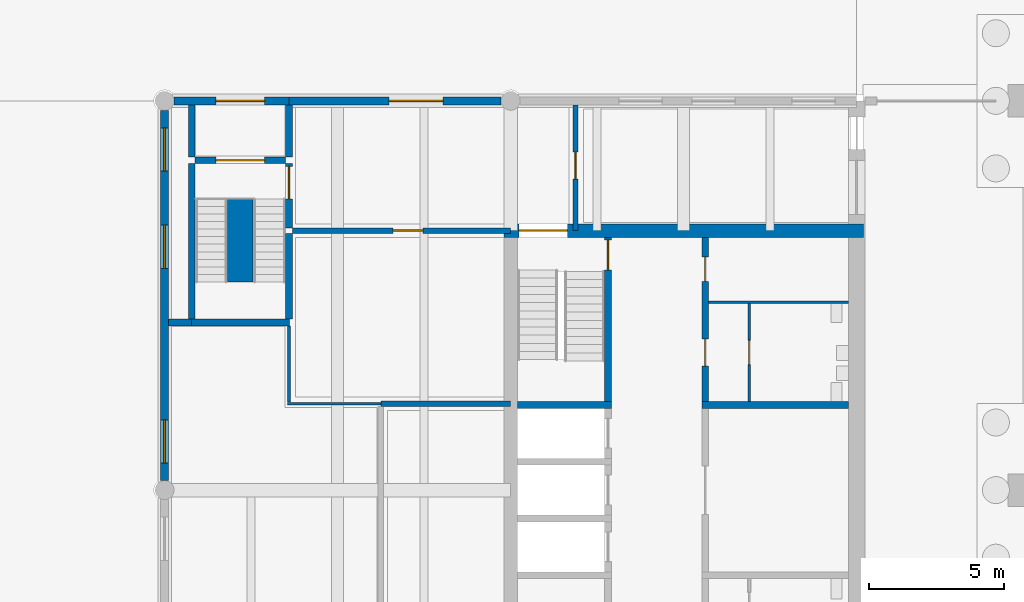
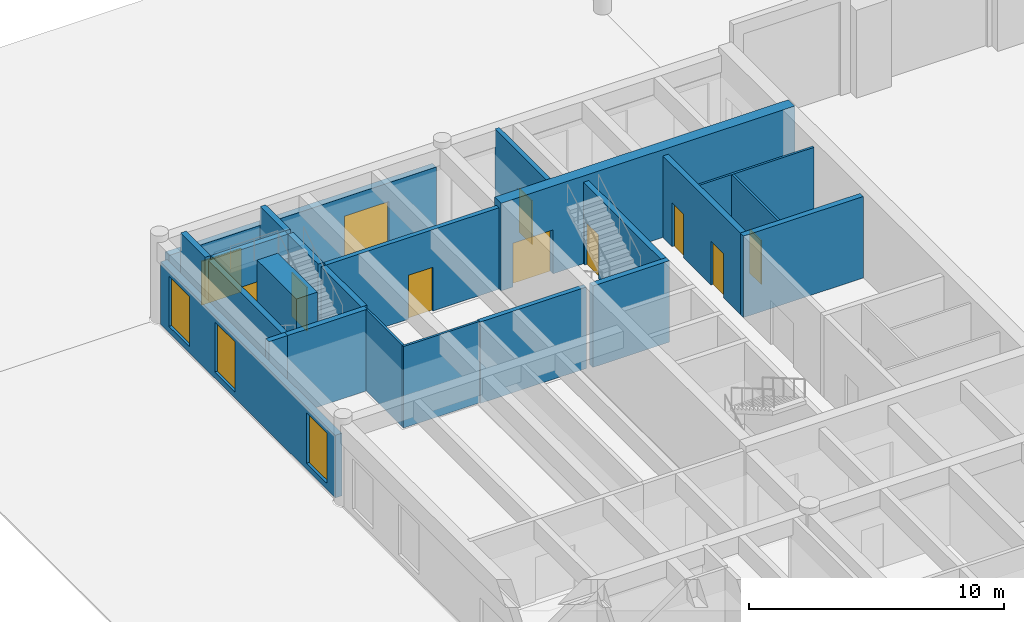
# One storey, part 19 of 28: 24 walls, 11 doors, 3 windows, 14 openings.
"""IFC4 building model written with IfcOpenShell, lengths in metres."""

from ifc_helpers import new_model, si_unit, direction, frame, frame_2d, origin, place, context, subcontext, project, spatial, rectangle, extrude, material, layer, layer_set, type_object, element, fill, save


model = new_model("IFC4")

# Units and contexts
model_context = context("Model", 3, precision=1e-05, world=origin(), true_north=direction((0.0, 1.0)))
body_context = subcontext(model_context, "Body", "Model", "MODEL_VIEW")
ifc_project = project(units=[si_unit("LENGTHUNIT", "METRE"), si_unit("AREAUNIT", "SQUARE_METRE"), si_unit("VOLUMEUNIT", "CUBIC_METRE"), si_unit("PLANEANGLEUNIT", "RADIAN"), si_unit("MASSUNIT", "GRAM", prefix="KILO")], contexts=[model_context])

# Site, building, storey
site_placement = place(None, origin())
site = spatial("IfcSite", under=ifc_project, at=site_placement, CompositionType="ELEMENT")
building_placement = place(site_placement, origin())
building = spatial("IfcBuilding", under=site, at=building_placement, Name="Fogon Plaza Fire Station and Headquarters Tower", CompositionType="ELEMENT")
storey_placement = place(building_placement, origin())
storey = spatial("IfcBuildingStorey", under=building, at=storey_placement, Name="L00", CompositionType="ELEMENT", Elevation=0.0)

# Wall, opening, door
ifc_material_1 = material(Name="Concrete C40", Category="concrete")
ifc_layer_1 = layer(ifc_material_1, 0.300048828125)
ifc_layer_set_1 = layer_set([ifc_layer_1], Name="Concrete C40")
wall_type_1 = type_object("IfcWallType", Name="Board-marked RC Infill Wall 300", PredefinedType="SOLIDWALL", material=ifc_layer_set_1)
wall_1_placement = place(storey_placement, frame((4.60009765625, 57.60009765625, 0.0), z_axis=(0.0, 0.0, 1.0), x_axis=(1.0, 0.0, 0.0)))
wall_1 = element("IfcWall", 1, at=wall_1_placement, inside=storey, type_object=wall_type_1, Name="Exterior wall WN L00", PredefinedType="SOLIDWALL", context=body_context, shape_type="SweptSolid", body=[
    extrude(rectangle(XDim=7.849853515625, YDim=0.300048828125, at=frame_2d((3.9248046875, 0.0))), origin(), (0.0, 0.0, 1.0), 3.0),
])
opening_1_placement = place(wall_1_placement, frame((3.699951171875, 0.0, 0.0)))
opening_1 = element("IfcOpeningElement", 2, at=opening_1_placement, cuts=wall_1, Name="Opening L00-D05", PredefinedType="OPENING", context=body_context, shape_type="SweptSolid", body=[
    extrude(rectangle(XDim=2.0, YDim=2.10009765625, at=frame_2d((1.0, 1.050048828125))), frame((0.0, 0.159912109375, 0.0), z_axis=(0.0, -1.0, 0.0), x_axis=(1.0, 0.0, 0.0)), (0.0, 0.0, 1.0), 0.320068359375),
])
ifc_material_2 = material(Name="Steel Door Leaf", Category="steel")
door_type_1 = type_object("IfcDoorType", Name="Exit Double 2000x2100", OperationType="SINGLE_SWING_LEFT", PredefinedType="DOOR", material=ifc_material_2)
door_1_placement = place(opening_1_placement, origin())
door_1 = element("IfcDoor", 3, at=door_1_placement, inside=storey, type_object=door_type_1, Name="Exterior door L00-D05", OperationType="SINGLE_SWING_RIGHT", OverallHeight=2.10009765625, OverallWidth=2.0, PredefinedType="DOOR", context=body_context, shape_type="SweptSolid", body=[
    extrude(rectangle(XDim=2.0, YDim=2.10009765625, at=frame_2d((1.0, 1.050048828125))), frame((0.0, 0.02490234375, 0.0), z_axis=(0.0, -1.0, 0.0), x_axis=(1.0, 0.0, 0.0)), (0.0, 0.0, 1.0), 0.050048828125),
])
fill(opening_1, door_1)

# Wall, openings, windows
wall_2_placement = place(storey_placement, frame((0.0, 43.550048828125, 0.0), z_axis=(0.0, 0.0, 1.0), x_axis=(0.0, 1.0, 0.0)))
wall_2 = element("IfcWall", 4, at=wall_2_placement, inside=storey, type_object=wall_type_1, Name="Exterior wall WW L00", PredefinedType="SOLIDWALL", context=body_context, shape_type="SweptSolid", body=[
    extrude(rectangle(XDim=13.699951171875, YDim=0.300048828125, at=frame_2d((6.85009765625, 0.0))), origin(), (0.0, 0.0, 1.0), 3.0),
])
opening_2_placement = place(wall_2_placement, frame((0.64990234375, 0.0, 0.300048828125)))
opening_2 = element("IfcOpeningElement", 5, at=opening_2_placement, cuts=wall_2, Name="Opening W2", PredefinedType="OPENING", context=body_context, shape_type="SweptSolid", body=[
    extrude(rectangle(XDim=1.60009765625, YDim=2.39990234375, at=frame_2d((0.800048828125, 1.199951171875))), frame((0.0, 0.159912109375, 0.0), z_axis=(0.0, -1.0, 0.0), x_axis=(1.0, 0.0, 0.0)), (0.0, 0.0, 1.0), 0.320068359375),
])
opening_3_placement = place(wall_2_placement, frame((7.85009765625, 0.0, 0.300048828125)))
opening_3 = element("IfcOpeningElement", 6, at=opening_3_placement, cuts=wall_2, Name="Opening W2", PredefinedType="OPENING", context=body_context, shape_type="SweptSolid", body=[
    extrude(rectangle(XDim=1.60009765625, YDim=2.39990234375, at=frame_2d((0.800048828125, 1.199951171875))), frame((0.0, 0.159912109375, 0.0), z_axis=(0.0, -1.0, 0.0), x_axis=(1.0, 0.0, 0.0)), (0.0, 0.0, 1.0), 0.320068359375),
])
opening_4_placement = place(wall_2_placement, frame((11.449951171875, 0.0, 0.300048828125)))
opening_4 = element("IfcOpeningElement", 7, at=opening_4_placement, cuts=wall_2, Name="Opening W2", PredefinedType="OPENING", context=body_context, shape_type="SweptSolid", body=[
    extrude(rectangle(XDim=1.60009765625, YDim=2.39990234375, at=frame_2d((0.800048828125, 1.199951171875))), frame((0.0, 0.159912109375, 0.0), z_axis=(0.0, -1.0, 0.0), x_axis=(1.0, 0.0, 0.0)), (0.0, 0.0, 1.0), 0.320068359375),
])
ifc_material_3 = material(Name="Aluminium framed double glazing", Category="aluminium")
window_type = type_object("IfcWindowType", Name="Window W2 1600x2400", PartitioningType="SINGLE_PANEL", PredefinedType="WINDOW", material=ifc_material_3)
window_1_placement = place(opening_2_placement, origin())
window_1 = element("IfcWindow", 8, at=window_1_placement, inside=storey, type_object=window_type, Name="Window W2 W L00", OverallHeight=2.39990234375, OverallWidth=1.60009765625, PartitioningType="SINGLE_PANEL", PredefinedType="WINDOW", context=body_context, shape_type="SweptSolid", body=[
    extrude(rectangle(XDim=1.60009765625, YDim=2.39990234375, at=frame_2d((0.800048828125, 1.199951171875))), frame((0.0, 0.030029296875, 0.0), z_axis=(0.0, -1.0, 0.0), x_axis=(1.0, 0.0, 0.0)), (0.0, 0.0, 1.0), 0.06005859375),
])
fill(opening_2, window_1)
window_2_placement = place(opening_3_placement, origin())
window_2 = element("IfcWindow", 9, at=window_2_placement, inside=storey, type_object=window_type, Name="Window W2 W L00", OverallHeight=2.39990234375, OverallWidth=1.60009765625, PartitioningType="SINGLE_PANEL", PredefinedType="WINDOW", context=body_context, shape_type="SweptSolid", body=[
    extrude(rectangle(XDim=1.60009765625, YDim=2.39990234375, at=frame_2d((0.800048828125, 1.199951171875))), frame((0.0, 0.030029296875, 0.0), z_axis=(0.0, -1.0, 0.0), x_axis=(1.0, 0.0, 0.0)), (0.0, 0.0, 1.0), 0.06005859375),
])
fill(opening_3, window_2)
window_3_placement = place(opening_4_placement, origin())
window_3 = element("IfcWindow", 10, at=window_3_placement, inside=storey, type_object=window_type, Name="Window W2 W L00", OverallHeight=2.39990234375, OverallWidth=1.60009765625, PartitioningType="SINGLE_PANEL", PredefinedType="WINDOW", context=body_context, shape_type="SweptSolid", body=[
    extrude(rectangle(XDim=1.60009765625, YDim=2.39990234375, at=frame_2d((0.800048828125, 1.199951171875))), frame((0.0, 0.030029296875, 0.0), z_axis=(0.0, -1.0, 0.0), x_axis=(1.0, 0.0, 0.0)), (0.0, 0.0, 1.0), 0.06005859375),
])
fill(opening_4, window_3)

# Wall, opening, door
ifc_material_4 = material(Name="Concrete C40", Category="concrete")
ifc_layer_2 = layer(ifc_material_4, 0.300048828125)
ifc_layer_set_2 = layer_set([ifc_layer_2], Name="Concrete C40")
wall_type_2 = type_object("IfcWallType", Name="Board-marked RC Infill Wall 300 EI 120", PredefinedType="SOLIDWALL", material=ifc_layer_set_2)
wall_3_placement = place(storey_placement, frame((0.35009765625, 57.60009765625, 0.0), z_axis=(0.0, 0.0, 1.0), x_axis=(1.0, 0.0, 0.0)))
wall_3 = element("IfcWall", 11, at=wall_3_placement, inside=storey, type_object=wall_type_2, Name="Exterior wall WN L00", PredefinedType="SOLIDWALL", context=body_context, shape_type="SweptSolid", body=[
    extrude(rectangle(XDim=4.25, YDim=0.300048828125, at=frame_2d((2.125, 0.0))), origin(), (0.0, 0.0, 1.0), 3.0),
])
opening_5_placement = place(wall_3_placement, frame((1.550048828125, 0.0, 0.0)))
opening_5 = element("IfcOpeningElement", 12, at=opening_5_placement, cuts=wall_3, Name="Opening L00-D04", PredefinedType="OPENING", context=body_context, shape_type="SweptSolid", body=[
    extrude(rectangle(XDim=1.800048828125, YDim=2.10009765625, at=frame_2d((0.89990234375, 1.050048828125))), frame((0.0, 0.159912109375, 0.0), z_axis=(0.0, -1.0, 0.0), x_axis=(1.0, 0.0, 0.0)), (0.0, 0.0, 1.0), 0.320068359375),
])
ifc_material_5 = material(Name="Steel Fire Door Leaf", Category="steel")
door_type_2 = type_object("IfcDoorType", Name="Stair Discharge Double 1800x2100", OperationType="SINGLE_SWING_LEFT", PredefinedType="DOOR", material=ifc_material_5)
door_2_placement = place(opening_5_placement, origin())
door_2 = element("IfcDoor", 13, at=door_2_placement, inside=storey, type_object=door_type_2, Name="Exterior door L00-D04", OperationType="SINGLE_SWING_LEFT", OverallHeight=2.10009765625, OverallWidth=1.800048828125, PredefinedType="DOOR", context=body_context, shape_type="SweptSolid", body=[
    extrude(rectangle(XDim=1.800048828125, YDim=2.10009765625, at=frame_2d((0.89990234375, 1.050048828125))), frame((0.0, 0.02490234375, 0.0), z_axis=(0.0, -1.0, 0.0), x_axis=(1.0, 0.0, 0.0)), (0.0, 0.0, 1.0), 0.050048828125),
])
fill(opening_5, door_2)

# Walls
ifc_material_6 = material(Name="Concrete Block Fire Wall", Category="concrete")
ifc_layer_3 = layer(ifc_material_6, 0.199951171875)
ifc_layer_set_3 = layer_set([ifc_layer_3], Name="Concrete Block Fire Wall")
wall_type_3 = type_object("IfcWallType", Name="Compartment Wall EI 120", PredefinedType="PARTITIONING", material=ifc_layer_set_3)
wall_4_placement = place(storey_placement, frame((8.0, 46.39990234375, 0.0), z_axis=(0.0, 0.0, 1.0), x_axis=(1.0, 0.0, 0.0)))
element("IfcWall", 14, at=wall_4_placement, inside=storey, type_object=wall_type_3, Name="wall-L00-W-024", PredefinedType="PARTITIONING", context=body_context, shape_type="SweptSolid", body=[
    extrude(rectangle(XDim=4.800048828125, YDim=0.199951171875, at=frame_2d((2.39990234375, 0.0))), origin(), (0.0, 0.0, 1.0), 3.89990234375),
])
ifc_material_7 = material(Name="Concrete C40", Category="concrete")
ifc_layer_4 = layer(ifc_material_7, 0.25)
ifc_layer_set_4 = layer_set([ifc_layer_4], Name="Concrete C40")
wall_type_4 = type_object("IfcWallType", Name="Core Wall RC 250", PredefinedType="SOLIDWALL", material=ifc_layer_set_4)
wall_5_placement = place(storey_placement, frame((13.050048828125, 46.35009765625, 0.0), z_axis=(0.0, 0.0, 1.0), x_axis=(1.0, 0.0, 0.0)))
element("IfcWall", 15, at=wall_5_placement, inside=storey, type_object=wall_type_4, Name="Core A shaft wall", PredefinedType="SOLIDWALL", context=body_context, shape_type="SweptSolid", body=[
    extrude(rectangle(XDim=3.474853515625, YDim=0.25, at=frame_2d((1.7373046875, 0.0))), origin(), (0.0, 0.0, 1.0), 3.89990234375),
])

# Wall, opening, door
wall_6_placement = place(storey_placement, frame((16.39990234375, 46.47509765625, 0.0), z_axis=(0.0, 0.0, 1.0), x_axis=(0.0, 1.0, 0.0)))
wall_6 = element("IfcWall", 16, at=wall_6_placement, inside=storey, type_object=wall_type_4, Name="Core A shaft wall", PredefinedType="SOLIDWALL", context=body_context, shape_type="SweptSolid", body=[
    extrude(rectangle(XDim=6.074951171875, YDim=0.25, at=frame_2d((3.03759765625, 0.0))), origin(), (0.0, 0.0, 1.0), 3.89990234375),
])
opening_6_placement = place(wall_6_placement, frame((4.875, 0.0, 0.0)))
opening_6 = element("IfcOpeningElement", 17, at=opening_6_placement, cuts=wall_6, Name="Opening L00-D30", PredefinedType="OPENING", context=body_context, shape_type="SweptSolid", body=[
    extrude(rectangle(XDim=1.10009765625, YDim=2.10009765625, at=frame_2d((0.550048828125, 1.050048828125))), frame((0.0, 0.135009765625, 0.0), z_axis=(0.0, -1.0, 0.0), x_axis=(1.0, 0.0, 0.0)), (0.0, 0.0, 1.0), 0.27001953125),
])
ifc_material_8 = material(Name="Steel Fire Door Leaf", Category="steel")
door_type_3 = type_object("IfcDoorType", Name="Stair Door Single 1100x2100", OperationType="SINGLE_SWING_LEFT", PredefinedType="DOOR", material=ifc_material_8)
door_3_placement = place(opening_6_placement, frame((1.10009765625, 0.0, 0.0), z_axis=(0.0, 0.0, 1.0), x_axis=(-1.0, 0.0, 0.0)))
door_3 = element("IfcDoor", 18, at=door_3_placement, inside=storey, type_object=door_type_3, Name="Stair door ST2", OperationType="SINGLE_SWING_LEFT", OverallHeight=2.10009765625, OverallWidth=1.10009765625, PredefinedType="DOOR", context=body_context, shape_type="SweptSolid", body=[
    extrude(rectangle(XDim=1.10009765625, YDim=2.10009765625, at=frame_2d((0.550048828125, 1.050048828125))), frame((0.0, 0.02490234375, 0.0), z_axis=(0.0, -1.0, 0.0), x_axis=(1.0, 0.0, 0.0)), (0.0, 0.0, 1.0), 0.050048828125),
])
fill(opening_6, door_3)

# Wall, openings, doors
wall_7_placement = place(storey_placement, frame((20.0, 46.47509765625, 0.0), z_axis=(0.0, 0.0, 1.0), x_axis=(0.0, 1.0, 0.0)))
wall_7 = element("IfcWall", 19, at=wall_7_placement, inside=storey, type_object=wall_type_4, Name="Core A shaft wall", PredefinedType="SOLIDWALL", context=body_context, shape_type="SweptSolid", body=[
    extrude(rectangle(XDim=6.074951171875, YDim=0.25, at=frame_2d((3.03759765625, 0.0))), origin(), (0.0, 0.0, 1.0), 3.89990234375),
])
opening_7_placement = place(wall_7_placement, frame((1.3125, 0.0, 0.0)))
opening_7 = element("IfcOpeningElement", 20, at=opening_7_placement, cuts=wall_7, Name="Opening L00-D39", PredefinedType="OPENING", context=body_context, shape_type="SweptSolid", body=[
    extrude(rectangle(XDim=1.0, YDim=2.10009765625, at=frame_2d((0.5, 1.050048828125))), frame((0.0, 0.135009765625, 0.0), z_axis=(0.0, -1.0, 0.0), x_axis=(1.0, 0.0, 0.0)), (0.0, 0.0, 1.0), 0.27001953125),
])
opening_8_placement = place(wall_7_placement, frame((4.449951171875, 0.0, 0.0)))
opening_8 = element("IfcOpeningElement", 21, at=opening_8_placement, cuts=wall_7, Name="Opening L00-D41", PredefinedType="OPENING", context=body_context, shape_type="SweptSolid", body=[
    extrude(rectangle(XDim=0.89990234375, YDim=2.10009765625, at=frame_2d((0.449951171875, 1.050048828125))), frame((0.0, 0.135009765625, 0.0), z_axis=(0.0, -1.0, 0.0), x_axis=(1.0, 0.0, 0.0)), (0.0, 0.0, 1.0), 0.27001953125),
])
ifc_material_9 = material(Name="Steel Fire Door Leaf", Category="steel")
door_type_4 = type_object("IfcDoorType", Name="Riser Single 900x2100", OperationType="SINGLE_SWING_LEFT", PredefinedType="DOOR", material=ifc_material_9)
door_4_placement = place(opening_8_placement, frame((0.89990234375, 0.0, 0.0), z_axis=(0.0, 0.0, 1.0), x_axis=(-1.0, 0.0, 0.0)))
door_4 = element("IfcDoor", 22, at=door_4_placement, inside=storey, type_object=door_type_4, Name="Riser room A door", OperationType="SINGLE_SWING_RIGHT", OverallHeight=2.10009765625, OverallWidth=0.89990234375, PredefinedType="DOOR", context=body_context, shape_type="SweptSolid", body=[
    extrude(rectangle(XDim=0.89990234375, YDim=2.10009765625, at=frame_2d((0.449951171875, 1.050048828125))), frame((0.0, 0.02490234375, 0.0), z_axis=(0.0, -1.0, 0.0), x_axis=(1.0, 0.0, 0.0)), (0.0, 0.0, 1.0), 0.050048828125),
])
fill(opening_8, door_4)
ifc_material_10 = material(Name="Timber fire door", Category="wood")
door_type_5 = type_object("IfcDoorType", Name="WC Lobby Single 1000x2100", OperationType="SINGLE_SWING_LEFT", PredefinedType="DOOR", material=ifc_material_10)
door_5_placement = place(opening_7_placement, frame((1.0, 0.0, 0.0), z_axis=(0.0, 0.0, 1.0), x_axis=(-1.0, 0.0, 0.0)))
door_5 = element("IfcDoor", 23, at=door_5_placement, inside=storey, type_object=door_type_5, Name="Women's WC lobby A door", OperationType="SINGLE_SWING_RIGHT", OverallHeight=2.10009765625, OverallWidth=1.0, PredefinedType="DOOR", context=body_context, shape_type="SweptSolid", body=[
    extrude(rectangle(XDim=1.0, YDim=2.10009765625, at=frame_2d((0.5, 1.050048828125))), frame((0.0, 0.02490234375, 0.0), z_axis=(0.0, -1.0, 0.0), x_axis=(1.0, 0.0, 0.0)), (0.0, 0.0, 1.0), 0.050048828125),
])
fill(opening_7, door_5)

# Wall
wall_8_placement = place(storey_placement, frame((19.875, 46.35009765625, 0.0), z_axis=(0.0, 0.0, 1.0), x_axis=(1.0, 0.0, 0.0)))
element("IfcWall", 24, at=wall_8_placement, inside=storey, type_object=wall_type_4, Name="Core A shaft wall", PredefinedType="SOLIDWALL", context=body_context, shape_type="SweptSolid", body=[
    extrude(rectangle(XDim=5.425048828125, YDim=0.25, at=frame_2d((2.71240234375, 0.0))), origin(), (0.0, 0.0, 1.0), 3.89990234375),
])

# Wall, opening, door
ifc_material_11 = material(Name="Gypsum Board Fire Partition")
ifc_layer_5 = layer(ifc_material_11, 0.199951171875)
ifc_layer_set_5 = layer_set([ifc_layer_5], Name="Gypsum Board Fire Partition")
wall_type_5 = type_object("IfcWallType", Name="Corridor Wall EI 60", PredefinedType="PARTITIONING", material=ifc_layer_set_5)
wall_9_placement = place(storey_placement, frame((4.72509765625, 52.800048828125, 0.0), z_axis=(0.0, 0.0, 1.0), x_axis=(1.0, 0.0, 0.0)))
wall_9 = element("IfcWall", 25, at=wall_9_placement, inside=storey, type_object=wall_type_5, Name="wall-L00-W-027", PredefinedType="PARTITIONING", context=body_context, shape_type="SweptSolid", body=[
    extrude(rectangle(XDim=8.074951171875, YDim=0.199951171875, at=frame_2d((4.03759765625, 0.0))), origin(), (0.0, 0.0, 1.0), 3.89990234375),
])
opening_9_placement = place(wall_9_placement, frame((3.72509765625, 0.0, 0.0)))
opening_9 = element("IfcOpeningElement", 26, at=opening_9_placement, cuts=wall_9, Name="Opening L00-D76", PredefinedType="OPENING", context=body_context, shape_type="SweptSolid", body=[
    extrude(rectangle(XDim=1.10009765625, YDim=2.10009765625, at=frame_2d((0.550048828125, 1.050048828125))), frame((0.0, 0.10986328125, 0.0), z_axis=(0.0, -1.0, 0.0), x_axis=(1.0, 0.0, 0.0)), (0.0, 0.0, 1.0), 0.219970703125),
])
ifc_material_12 = material(Name="Steel Fire Door Leaf", Category="steel")
door_type_6 = type_object("IfcDoorType", Name="Corridor Door EI 20 1100x2100", OperationType="SINGLE_SWING_LEFT", PredefinedType="DOOR", material=ifc_material_12)
door_6_placement = place(opening_9_placement, frame((1.10009765625, 0.0, 0.0), z_axis=(0.0, 0.0, 1.0), x_axis=(-1.0, 0.0, 0.0)))
door_6 = element("IfcDoor", 27, at=door_6_placement, inside=storey, type_object=door_type_6, Name="door-L00-W-16", OperationType="SINGLE_SWING_LEFT", OverallHeight=2.10009765625, OverallWidth=1.10009765625, PredefinedType="DOOR", context=body_context, shape_type="SweptSolid", body=[
    extrude(rectangle(XDim=1.10009765625, YDim=2.10009765625, at=frame_2d((0.550048828125, 1.050048828125))), frame((0.0, 0.02490234375, 0.0), z_axis=(0.0, -1.0, 0.0), x_axis=(1.0, 0.0, 0.0)), (0.0, 0.0, 1.0), 0.050048828125),
])
fill(opening_9, door_6)

wall_10_placement = place(storey_placement, frame((15.199951171875, 52.800048828125, 0.0), z_axis=(0.0, 0.0, 1.0), x_axis=(0.0, 1.0, 0.0)))
wall_10 = element("IfcWall", 28, at=wall_10_placement, inside=storey, type_object=wall_type_5, Name="wall-L00-W-049", PredefinedType="PARTITIONING", context=body_context, shape_type="SweptSolid", body=[
    extrude(rectangle(XDim=4.64990234375, YDim=0.199951171875, at=frame_2d((2.324951171875, 0.0))), origin(), (0.0, 0.0, 1.0), 3.89990234375),
])
opening_10_placement = place(wall_10_placement, frame((1.89990234375, 0.0, 0.0)))
opening_10 = element("IfcOpeningElement", 29, at=opening_10_placement, cuts=wall_10, Name="Opening L00-D79", PredefinedType="OPENING", context=body_context, shape_type="SweptSolid", body=[
    extrude(rectangle(XDim=1.0, YDim=2.10009765625, at=frame_2d((0.5, 1.050048828125))), frame((0.0, 0.10986328125, 0.0), z_axis=(0.0, -1.0, 0.0), x_axis=(1.0, 0.0, 0.0)), (0.0, 0.0, 1.0), 0.219970703125),
])
ifc_material_13 = material(Name="Steel Fire Door Leaf", Category="steel")
door_type_7 = type_object("IfcDoorType", Name="Corridor Door EI 20 1000x2100", OperationType="SINGLE_SWING_LEFT", PredefinedType="DOOR", material=ifc_material_13)
door_7_placement = place(opening_10_placement, frame((1.0, 0.0, 0.0), z_axis=(0.0, 0.0, 1.0), x_axis=(-1.0, 0.0, 0.0)))
door_7 = element("IfcDoor", 30, at=door_7_placement, inside=storey, type_object=door_type_7, Name="door-L00-W-19", OperationType="SINGLE_SWING_RIGHT", OverallHeight=2.10009765625, OverallWidth=1.0, PredefinedType="DOOR", context=body_context, shape_type="SweptSolid", body=[
    extrude(rectangle(XDim=1.0, YDim=2.10009765625, at=frame_2d((0.5, 1.050048828125))), frame((0.0, 0.02490234375, 0.0), z_axis=(0.0, -1.0, 0.0), x_axis=(1.0, 0.0, 0.0)), (0.0, 0.0, 1.0), 0.050048828125),
])
fill(opening_10, door_7)

ifc_material_14 = material(Name="Blockwork", Category="masonry")
ifc_layer_6 = layer(ifc_material_14, 0.10009765625)
ifc_layer_set_6 = layer_set([ifc_layer_6], Name="Blockwork")
wall_type_6 = type_object("IfcWallType", Name="Partition Blockwork 100", PredefinedType="PARTITIONING", material=ifc_layer_set_6)
wall_11_placement = place(storey_placement, frame((21.625, 46.47509765625, 0.0), z_axis=(0.0, 0.0, 1.0), x_axis=(0.0, 1.0, 0.0)))
wall_11 = element("IfcWall", 31, at=wall_11_placement, inside=storey, type_object=wall_type_6, Name="WC block partition", PredefinedType="PARTITIONING", context=body_context, shape_type="SweptSolid", body=[
    extrude(rectangle(XDim=3.625, YDim=0.10009765625, at=frame_2d((1.8125, 0.0))), origin(), (0.0, 0.0, 1.0), 3.89990234375),
])
opening_11_placement = place(wall_11_placement, frame((1.362548828125, 0.0, 0.0)))
opening_11 = element("IfcOpeningElement", 32, at=opening_11_placement, cuts=wall_11, Name="Opening L00-D40", PredefinedType="OPENING", context=body_context, shape_type="SweptSolid", body=[
    extrude(rectangle(XDim=0.89990234375, YDim=2.10009765625, at=frame_2d((0.449951171875, 1.050048828125))), frame((0.0, 0.06005859375, 0.0), z_axis=(0.0, -1.0, 0.0), x_axis=(1.0, 0.0, 0.0)), (0.0, 0.0, 1.0), 0.1201171875),
])
ifc_material_15 = material(Name="Timber Door Leaf", Category="wood")
door_type_8 = type_object("IfcDoorType", Name="WC Single 900x2100", OperationType="SINGLE_SWING_LEFT", PredefinedType="DOOR", material=ifc_material_15)
door_8_placement = place(opening_11_placement, frame((0.89990234375, 0.0, 0.0), z_axis=(0.0, 0.0, 1.0), x_axis=(-1.0, 0.0, 0.0)))
door_8 = element("IfcDoor", 33, at=door_8_placement, inside=storey, type_object=door_type_8, Name="Women's WC A door", OperationType="SINGLE_SWING_LEFT", OverallHeight=2.10009765625, OverallWidth=0.89990234375, PredefinedType="DOOR", context=body_context, shape_type="SweptSolid", body=[
    extrude(rectangle(XDim=0.89990234375, YDim=2.10009765625, at=frame_2d((0.449951171875, 1.050048828125))), frame((0.0, 0.02490234375, 0.0), z_axis=(0.0, -1.0, 0.0), x_axis=(1.0, 0.0, 0.0)), (0.0, 0.0, 1.0), 0.050048828125),
])
fill(opening_11, door_8)

# Walls
ifc_material_16 = material(Name="Gypsum Board Partition")
ifc_layer_7 = layer(ifc_material_16, 0.10009765625)
ifc_layer_set_7 = layer_set([ifc_layer_7], Name="Gypsum Board Partition")
wall_type_7 = type_object("IfcWallType", Name="Partition Gypsum 100", PredefinedType="PARTITIONING", material=ifc_layer_set_7)
wall_12_placement = place(storey_placement, frame((4.550048828125, 46.39990234375, 0.0), z_axis=(0.0, 0.0, 1.0), x_axis=(1.0, 0.0, 0.0)))
element("IfcWall", 34, at=wall_12_placement, inside=storey, type_object=wall_type_7, Name="wall-L00-W-023", PredefinedType="PARTITIONING", context=body_context, shape_type="SweptSolid", body=[
    extrude(rectangle(XDim=3.449951171875, YDim=0.10009765625, at=frame_2d((1.72509765625, 0.0))), origin(), (0.0, 0.0, 1.0), 3.89990234375),
])
wall_13_placement = place(storey_placement, frame((4.60009765625, 46.449951171875, 0.0), z_axis=(0.0, 0.0, 1.0), x_axis=(0.0, 1.0, 0.0)))
element("IfcWall", 35, at=wall_13_placement, inside=storey, type_object=wall_type_7, Name="wall-L00-W-039", PredefinedType="PARTITIONING", context=body_context, shape_type="SweptSolid", body=[
    extrude(rectangle(XDim=2.824951171875, YDim=0.10009765625, at=frame_2d((1.41259765625, 0.0))), origin(), (0.0, 0.0, 1.0), 3.89990234375),
])
ifc_material_17 = material(Name="Blockwork", Category="masonry")
ifc_layer_8 = layer(ifc_material_17, 0.10009765625)
ifc_layer_set_8 = layer_set([ifc_layer_8], Name="Blockwork")
wall_type_8 = type_object("IfcWallType", Name="Riser Partition Blockwork 100", PredefinedType="PARTITIONING", material=ifc_layer_set_8)
wall_14_placement = place(storey_placement, frame((20.125, 50.14990234375, 0.0), z_axis=(0.0, 0.0, 1.0), x_axis=(1.0, 0.0, 0.0)))
element("IfcWall", 36, at=wall_14_placement, inside=storey, type_object=wall_type_8, Name="Riser room partition", PredefinedType="PARTITIONING", context=body_context, shape_type="SweptSolid", body=[
    extrude(rectangle(XDim=5.175048828125, YDim=0.10009765625, at=frame_2d((2.58740234375, 0.0))), origin(), (0.0, 0.0, 1.0), 3.89990234375),
])

# Wall, opening, door
ifc_material_18 = material(Name="Concrete C40", Category="concrete")
ifc_layer_9 = layer(ifc_material_18, 0.5)
ifc_layer_set_9 = layer_set([ifc_layer_9], Name="Concrete C40")
wall_type_9 = type_object("IfcWallType", Name="Shear wall 500 SW50", PredefinedType="SHEAR", material=ifc_layer_set_9)
wall_15_placement = place(storey_placement, frame((12.550048828125, 52.800048828125, 0.0), z_axis=(0.0, 0.0, 1.0), x_axis=(1.0, 0.0, 0.0)))
wall_15 = element("IfcWall", 37, at=wall_15_placement, inside=storey, type_object=wall_type_9, Name="wall-coreA-N-L00", PredefinedType="SHEAR", context=body_context, shape_type="SweptSolid", body=[
    extrude(rectangle(XDim=13.300048828125, YDim=0.5, at=frame_2d((6.64990234375, 0.0))), origin(), (0.0, 0.0, 1.0), 4.199951171875),
])
opening_12_placement = place(wall_15_placement, frame((0.550048828125, 0.0, 0.0)))
opening_12 = element("IfcOpeningElement", 38, at=opening_12_placement, cuts=wall_15, Name="Opening L00-D44", PredefinedType="OPENING", context=body_context, shape_type="SweptSolid", body=[
    extrude(rectangle(XDim=1.800048828125, YDim=2.10009765625, at=frame_2d((0.89990234375, 1.050048828125))), frame((0.0, 0.260009765625, 0.0), z_axis=(0.0, -1.0, 0.0), x_axis=(1.0, 0.0, 0.0)), (0.0, 0.0, 1.0), 0.52001953125),
])
door_9_placement = place(opening_12_placement, origin())
door_9 = element("IfcDoor", 39, at=door_9_placement, inside=storey, type_object=door_type_2, Name="Stair ST2 discharge door", OperationType="SINGLE_SWING_RIGHT", OverallHeight=2.10009765625, OverallWidth=1.800048828125, PredefinedType="DOOR", context=body_context, shape_type="SweptSolid", body=[
    extrude(rectangle(XDim=1.800048828125, YDim=2.10009765625, at=frame_2d((0.89990234375, 1.050048828125))), frame((0.0, 0.02490234375, 0.0), z_axis=(0.0, -1.0, 0.0), x_axis=(1.0, 0.0, 0.0)), (0.0, 0.0, 1.0), 0.050048828125),
])
fill(opening_12, door_9)

# Walls
ifc_material_19 = material(Name="Concrete C40", Category="concrete")
ifc_layer_10 = layer(ifc_material_19, 0.949951171875)
ifc_layer_set_10 = layer_set([ifc_layer_10], Name="Concrete C40")
wall_type_10 = type_object("IfcWallType", Name="Stair Newel Wall RC 950", PredefinedType="SHEAR", material=ifc_layer_set_10)
wall_16_placement = place(storey_placement, frame((2.800048828125, 53.97509765625, 0.0), z_axis=(0.0, 0.0, 1.0), x_axis=(0.0, -1.0, 0.0)))
element("IfcWall", 40, at=wall_16_placement, inside=storey, type_object=wall_type_10, Name="wall-newel-ST5-L00", PredefinedType="SHEAR", context=body_context, shape_type="SweptSolid", body=[
    extrude(rectangle(XDim=3.080078125, YDim=0.949951171875, at=frame_2d((1.5400390625, 0.0))), origin(), (0.0, 0.0, 1.0), 4.199951171875),
])
ifc_material_20 = material(Name="Concrete C40", Category="concrete")
ifc_layer_11 = layer(ifc_material_20, 0.25)
ifc_layer_set_11 = layer_set([ifc_layer_11], Name="Concrete C40")
wall_type_11 = type_object("IfcWallType", Name="Stair Shaft Wall RC 250", PredefinedType="SHEAR", material=ifc_layer_set_11)
wall_17_placement = place(storey_placement, frame((1.0, 49.39990234375, 0.0), z_axis=(0.0, 0.0, 1.0), x_axis=(1.0, 0.0, 0.0)))
element("IfcWall", 41, at=wall_17_placement, inside=storey, type_object=wall_type_11, Name="wall-L00-W-026", PredefinedType="SHEAR", context=body_context, shape_type="SweptSolid", body=[
    extrude(rectangle(XDim=3.610107421875, YDim=0.25, at=frame_2d((1.80517578125, 0.0))), origin(), (0.0, 0.0, 1.0), 3.89990234375),
])

# Wall, opening, door
wall_18_placement = place(storey_placement, frame((1.125, 55.39990234375, 0.0), z_axis=(0.0, 0.0, 1.0), x_axis=(1.0, 0.0, 0.0)))
wall_18 = element("IfcWall", 42, at=wall_18_placement, inside=storey, type_object=wall_type_11, Name="wall-L00-W-028", PredefinedType="SHEAR", context=body_context, shape_type="SweptSolid", body=[
    extrude(rectangle(XDim=3.35009765625, YDim=0.25, at=frame_2d((1.675048828125, 0.0))), origin(), (0.0, 0.0, 1.0), 3.89990234375),
])
opening_13_placement = place(wall_18_placement, frame((0.77490234375, 0.0, 0.0)))
opening_13 = element("IfcOpeningElement", 43, at=opening_13_placement, cuts=wall_18, Name="Opening L00-D78", PredefinedType="OPENING", context=body_context, shape_type="SweptSolid", body=[
    extrude(rectangle(XDim=1.800048828125, YDim=2.10009765625, at=frame_2d((0.89990234375, 1.050048828125))), frame((0.0, 0.135009765625, 0.0), z_axis=(0.0, -1.0, 0.0), x_axis=(1.0, 0.0, 0.0)), (0.0, 0.0, 1.0), 0.27001953125),
])
door_10_placement = place(opening_13_placement, origin())
door_10 = element("IfcDoor", 44, at=door_10_placement, inside=storey, type_object=door_type_2, Name="door-L00-W-18", OperationType="DOUBLE_DOOR_SINGLE_SWING", OverallHeight=2.10009765625, OverallWidth=1.800048828125, PredefinedType="DOOR", context=body_context, shape_type="SweptSolid", body=[
    extrude(rectangle(XDim=1.800048828125, YDim=2.10009765625, at=frame_2d((0.89990234375, 1.050048828125))), frame((0.0, 0.02490234375, 0.0), z_axis=(0.0, -1.0, 0.0), x_axis=(1.0, 0.0, 0.0)), (0.0, 0.0, 1.0), 0.050048828125),
])
fill(opening_13, door_10)

# Walls
wall_19_placement = place(storey_placement, frame((1.0, 49.52490234375, 0.0), z_axis=(0.0, 0.0, 1.0), x_axis=(0.0, 1.0, 0.0)))
element("IfcWall", 45, at=wall_19_placement, inside=storey, type_object=wall_type_11, Name="wall-L00-W-031", PredefinedType="SHEAR", context=body_context, shape_type="SweptSolid", body=[
    extrude(rectangle(XDim=5.75, YDim=0.25, at=frame_2d((2.875, 0.0))), origin(), (0.0, 0.0, 1.0), 3.89990234375),
])
wall_20_placement = place(storey_placement, frame((4.60009765625, 49.52490234375, 0.0), z_axis=(0.0, 0.0, 1.0), x_axis=(0.0, 1.0, 0.0)))
element("IfcWall", 46, at=wall_20_placement, inside=storey, type_object=wall_type_11, Name="wall-L00-W-040", PredefinedType="SHEAR", context=body_context, shape_type="SweptSolid", body=[
    extrude(rectangle(XDim=3.175048828125, YDim=0.25, at=frame_2d((1.58740234375, 0.0))), origin(), (0.0, 0.0, 1.0), 3.89990234375),
])

# Wall, opening, door
wall_21_placement = place(storey_placement, frame((4.60009765625, 52.89990234375, 0.0), z_axis=(0.0, 0.0, 1.0), x_axis=(0.0, 1.0, 0.0)))
wall_21 = element("IfcWall", 47, at=wall_21_placement, inside=storey, type_object=wall_type_11, Name="wall-L00-W-041", PredefinedType="SHEAR", context=body_context, shape_type="SweptSolid", body=[
    extrude(rectangle(XDim=2.375, YDim=0.25, at=frame_2d((1.1875, 0.0))), origin(), (0.0, 0.0, 1.0), 3.89990234375),
])
opening_14_placement = place(wall_21_placement, frame((1.074951171875, 0.0, 0.0)))
opening_14 = element("IfcOpeningElement", 48, at=opening_14_placement, cuts=wall_21, Name="Opening L00-D77", PredefinedType="OPENING", context=body_context, shape_type="SweptSolid", body=[
    extrude(rectangle(XDim=1.199951171875, YDim=2.10009765625, at=frame_2d((0.60009765625, 1.050048828125))), frame((0.0, 0.135009765625, 0.0), z_axis=(0.0, -1.0, 0.0), x_axis=(1.0, 0.0, 0.0)), (0.0, 0.0, 1.0), 0.27001953125),
])
ifc_material_21 = material(Name="Steel Fire Door Leaf", Category="steel")
door_type_9 = type_object("IfcDoorType", Name="Stair Door EI 90 1200x2100", OperationType="SINGLE_SWING_LEFT", PredefinedType="DOOR", material=ifc_material_21)
door_11_placement = place(opening_14_placement, frame((1.199951171875, 0.0, 0.0), z_axis=(0.0, 0.0, 1.0), x_axis=(-1.0, 0.0, 0.0)))
door_11 = element("IfcDoor", 49, at=door_11_placement, inside=storey, type_object=door_type_9, Name="door-L00-W-17", OperationType="SINGLE_SWING_RIGHT", OverallHeight=2.10009765625, OverallWidth=1.199951171875, PredefinedType="DOOR", context=body_context, shape_type="SweptSolid", body=[
    extrude(rectangle(XDim=1.199951171875, YDim=2.10009765625, at=frame_2d((0.60009765625, 1.050048828125))), frame((0.0, 0.02490234375, 0.0), z_axis=(0.0, -1.0, 0.0), x_axis=(1.0, 0.0, 0.0)), (0.0, 0.0, 1.0), 0.050048828125),
])
fill(opening_14, door_11)

# Walls
ifc_material_22 = material(Name="Concrete Block Fire Wall", Category="concrete")
ifc_layer_12 = layer(ifc_material_22, 0.25)
ifc_layer_set_12 = layer_set([ifc_layer_12], Name="Concrete Block Fire Wall")
wall_type_12 = type_object("IfcWallType", Name="Stair and Shaft Wall EI 120", PredefinedType="PARTITIONING", material=ifc_layer_set_12)
wall_22_placement = place(storey_placement, frame((0.14990234375, 49.39990234375, 0.0), z_axis=(0.0, 0.0, 1.0), x_axis=(1.0, 0.0, 0.0)))
element("IfcWall", 50, at=wall_22_placement, inside=storey, type_object=wall_type_12, Name="wall-L00-W-025", PredefinedType="PARTITIONING", context=body_context, shape_type="SweptSolid", body=[
    extrude(rectangle(XDim=0.85009765625, YDim=0.25, at=frame_2d((0.425048828125, 0.0))), origin(), (0.0, 0.0, 1.0), 3.89990234375),
])
for number, where, z_axis, x_axis, name in (
    (51, (1.0, 55.52490234375, 0.0), (0.0, 0.0, 1.0), (0.0, 1.0, 0.0), "wall-L00-W-032"),
    (52, (4.60009765625, 55.52490234375, 0.0), (0.0, 0.0, 1.0), (0.0, 1.0, 0.0), "wall-L00-W-042"),
):
    element("IfcWall", number, at=place(storey_placement, frame(where, z_axis=z_axis, x_axis=x_axis)), inside=storey, type_object=wall_type_12, Name=name, PredefinedType="PARTITIONING", context=body_context, shape_type="SweptSolid", body=[
        extrude(rectangle(XDim=1.925048828125, YDim=0.25, at=frame_2d((0.96240234375, 0.0))), origin(), (0.0, 0.0, 1.0), 3.89990234375),
    ])

save(model, "model.ifc")
